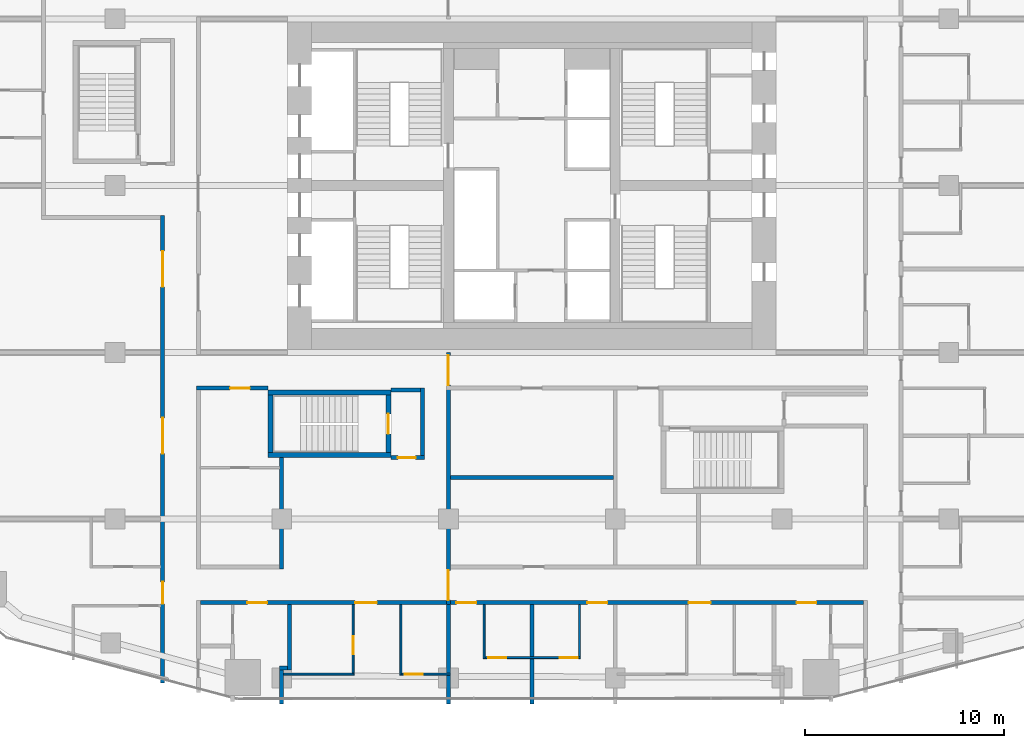
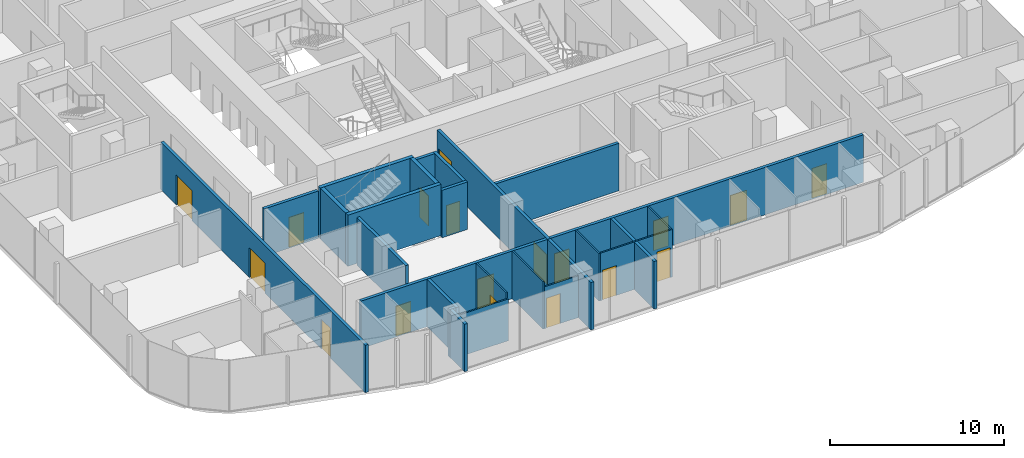
# One storey, part 16 of 26: 25 walls, 18 doors, 18 openings.
"""IFC4 building model written with IfcOpenShell, lengths in metres."""

from ifc_helpers import new_model, si_unit, direction, frame, frame_2d, origin, place, context, subcontext, project, spatial, rectangle, extrude, material, layer, layer_set, type_object, element, fill, save


model = new_model("IFC4")

# Units and contexts
model_context = context("Model", 3, precision=1e-05, world=origin(), true_north=direction((0.0, 1.0)))
body_context = subcontext(model_context, "Body", "Model", "MODEL_VIEW")
ifc_project = project(units=[si_unit("LENGTHUNIT", "METRE"), si_unit("AREAUNIT", "SQUARE_METRE"), si_unit("VOLUMEUNIT", "CUBIC_METRE"), si_unit("PLANEANGLEUNIT", "RADIAN"), si_unit("MASSUNIT", "GRAM", prefix="KILO")], contexts=[model_context])

# Site, building, storey
site_placement = place(None, origin())
site = spatial("IfcSite", under=ifc_project, at=site_placement, CompositionType="ELEMENT")
building_placement = place(site_placement, origin())
building = spatial("IfcBuilding", under=site, at=building_placement, Name="Marenta Gate Hotel Tower", CompositionType="ELEMENT")
storey_placement = place(building_placement, frame((0.0, 0.0, 79.699951171875)))
storey = spatial("IfcBuildingStorey", under=building, at=storey_placement, Name="L18", CompositionType="ELEMENT", Elevation=79.699951171875)

# Wall
ifc_material_1 = material(Name="Concrete blockwork", Category="masonry")
ifc_layer_1 = layer(ifc_material_1, 0.199951171875)
ifc_layer_set_1 = layer_set([ifc_layer_1], Name="Concrete blockwork")
wall_type_1 = type_object("IfcWallType", Name="Compartment wall 200 REI 180", PredefinedType="PARTITIONING", material=ifc_layer_set_1)
wall_1_placement = place(storey_placement, frame((-4.199951171875, -17.699951171875, 0.0), z_axis=(0.0, 0.0, 1.0), x_axis=(0.0, 1.0, 0.0)))
element("IfcWall", 1, at=wall_1_placement, inside=storey, type_object=wall_type_1, Name="L18-PTN-W078", PredefinedType="PARTITIONING", context=body_context, shape_type="SweptSolid", body=[
    extrude(rectangle(XDim=5.0, YDim=0.199951171875, at=frame_2d((2.5, 0.0))), origin(), (0.0, 0.0, 1.0), 3.340087890625),
])

# Wall, openings, doors
wall_2_placement = place(storey_placement, frame((-4.199951171875, -12.699951171875, 0.0), z_axis=(0.0, 0.0, 1.0), x_axis=(0.0, 1.0, 0.0)))
wall_2 = element("IfcWall", 2, at=wall_2_placement, inside=storey, type_object=wall_type_1, Name="L18-PTN-W081", PredefinedType="PARTITIONING", context=body_context, shape_type="SweptSolid", body=[
    extrude(rectangle(XDim=12.699951171875, YDim=0.199951171875, at=frame_2d((6.35009765625, 0.0))), origin(), (0.0, 0.0, 1.0), 3.340087890625),
])
opening_1_placement = place(wall_2_placement, frame((11.050048828125, 0.0, 0.0)))
opening_1 = element("IfcOpeningElement", 3, at=opening_1_placement, cuts=wall_2, Name="Opening G07-FD3", PredefinedType="OPENING", context=body_context, shape_type="SweptSolid", body=[
    extrude(rectangle(XDim=1.5, YDim=2.10009765625, at=frame_2d((0.75, 1.050048828125))), frame((0.0, 0.10009765625, 0.0), z_axis=(0.0, -1.0, 0.0), x_axis=(1.0, 0.0, 0.0)), (0.0, 0.0, 1.0), 0.199951171875),
])
opening_2_placement = place(wall_2_placement, frame((0.22509765625, 0.0, 0.0)))
opening_2 = element("IfcOpeningElement", 4, at=opening_2_placement, cuts=wall_2, Name="Opening G07-FD4", PredefinedType="OPENING", context=body_context, shape_type="SweptSolid", body=[
    extrude(rectangle(XDim=1.5, YDim=2.10009765625, at=frame_2d((0.75, 1.050048828125))), frame((0.0, 0.10009765625, 0.0), z_axis=(0.0, -1.0, 0.0), x_axis=(1.0, 0.0, 0.0)), (0.0, 0.0, 1.0), 0.199951171875),
])
ifc_material_2 = material(Name="Hollow steel door set", Category="steel")
door_type_1 = type_object("IfcDoorType", Name="Compartment fire door 1500x2100 EI 60", OperationType="DOUBLE_DOOR_DOUBLE_SWING", PredefinedType="DOOR", material=ifc_material_2)
door_1_placement = place(opening_1_placement, origin())
door_1 = element("IfcDoor", 5, at=door_1_placement, inside=storey, type_object=door_type_1, Name="L18-PD-FD03", OperationType="DOUBLE_DOOR_DOUBLE_SWING", OverallHeight=2.10009765625, OverallWidth=1.5, PredefinedType="DOOR", context=body_context, shape_type="SweptSolid", body=[
    extrude(rectangle(XDim=1.5, YDim=2.10009765625, at=frame_2d((0.75, 1.050048828125))), frame((0.0, 0.02490234375, 0.0), z_axis=(0.0, -1.0, 0.0), x_axis=(1.0, 0.0, 0.0)), (0.0, 0.0, 1.0), 0.050048828125),
])
fill(opening_1, door_1)
door_2_placement = place(opening_2_placement, origin())
door_2 = element("IfcDoor", 6, at=door_2_placement, inside=storey, type_object=door_type_1, Name="L18-PD-FD04", OperationType="DOUBLE_DOOR_DOUBLE_SWING", OverallHeight=2.10009765625, OverallWidth=1.5, PredefinedType="DOOR", context=body_context, shape_type="SweptSolid", body=[
    extrude(rectangle(XDim=1.5, YDim=2.10009765625, at=frame_2d((0.75, 1.050048828125))), frame((0.0, 0.02490234375, 0.0), z_axis=(0.0, -1.0, 0.0), x_axis=(1.0, 0.0, 0.0)), (0.0, 0.0, 1.0), 0.050048828125),
])
fill(opening_2, door_2)

# Walls
ifc_material_3 = material(Name="Concrete C40", Category="concrete")
ifc_layer_2 = layer(ifc_material_3, 0.25)
ifc_layer_set_2 = layer_set([ifc_layer_2], Name="Concrete C40")
wall_type_2 = type_object("IfcWallType", Name="Remote stair enclosure wall 250 REI 180", PredefinedType="SHEAR", material=ifc_layer_set_2)
for number, where, z_axis, x_axis, name in (
    (7, (-13.300048828125, -5.175048828125, 0.10009765625), (0.0, 0.0, 1.0), (1.0, 0.0, 0.0), "L18-RS-Z1-2-W1"),
    (8, (-13.300048828125, -2.02490234375, 0.10009765625), (0.0, 0.0, 1.0), (1.0, 0.0, 0.0), "L18-RS-Z1-2-W2"),
):
    element("IfcWall", number, at=place(storey_placement, frame(where, z_axis=z_axis, x_axis=x_axis)), inside=storey, type_object=wall_type_2, Name=name, PredefinedType="SHEAR", context=body_context, shape_type="SweptSolid", body=[
        extrude(rectangle(XDim=6.199951171875, YDim=0.25, at=frame_2d((3.10009765625, 0.0))), origin(), (0.0, 0.0, 1.0), 3.599853515625),
    ])
wall_3_placement = place(storey_placement, frame((-13.175048828125, -5.050048828125, 0.10009765625), z_axis=(0.0, 0.0, 1.0), x_axis=(0.0, 1.0, 0.0)))
element("IfcWall", 9, at=wall_3_placement, inside=storey, type_object=wall_type_2, Name="L18-RS-Z1-2-W3", PredefinedType="SHEAR", context=body_context, shape_type="SweptSolid", body=[
    extrude(rectangle(XDim=2.900146484375, YDim=0.25, at=frame_2d((1.4501953125, 0.0))), origin(), (0.0, 0.0, 1.0), 3.599853515625),
])

# Wall, opening, door
wall_4_placement = place(storey_placement, frame((-7.22509765625, -5.050048828125, 0.10009765625), z_axis=(0.0, 0.0, 1.0), x_axis=(0.0, 1.0, 0.0)))
wall_4 = element("IfcWall", 10, at=wall_4_placement, inside=storey, type_object=wall_type_2, Name="L18-RS-Z1-2-W4", PredefinedType="SHEAR", context=body_context, shape_type="SweptSolid", body=[
    extrude(rectangle(XDim=2.900146484375, YDim=0.25, at=frame_2d((1.4501953125, 0.0))), origin(), (0.0, 0.0, 1.0), 3.599853515625),
])
opening_3_placement = place(wall_4_placement, frame((0.949951171875, 0.0, 0.0)))
opening_3 = element("IfcOpeningElement", 11, at=opening_3_placement, cuts=wall_4, Name="Opening VD", PredefinedType="OPENING", context=body_context, shape_type="SweptSolid", body=[
    extrude(rectangle(XDim=1.0, YDim=2.10009765625, at=frame_2d((0.5, 1.050048828125))), frame((0.0, 0.125, 0.0), z_axis=(0.0, -1.0, 0.0), x_axis=(1.0, 0.0, 0.0)), (0.0, 0.0, 1.0), 0.25),
])
ifc_material_4 = material(Name="Steel", Category="steel")
door_type_2 = type_object("IfcDoorType", Name="Stair vestibule door 1000x2100 FD60", OperationType="SINGLE_SWING_LEFT", PredefinedType="DOOR", material=ifc_material_4)
door_3_placement = place(opening_3_placement, origin())
door_3 = element("IfcDoor", 12, at=door_3_placement, inside=storey, type_object=door_type_2, Name="VD", OperationType="SINGLE_SWING_LEFT", OverallHeight=2.10009765625, OverallWidth=1.0, PredefinedType="DOOR", context=body_context, shape_type="SweptSolid", body=[
    extrude(rectangle(XDim=1.0, YDim=2.10009765625, at=frame_2d((0.5, 1.050048828125))), frame((0.0, 0.02490234375, 0.0), z_axis=(0.0, -1.0, 0.0), x_axis=(1.0, 0.0, 0.0)), (0.0, 0.0, 1.0), 0.050048828125),
])
fill(opening_3, door_3)

# Wall, openings, doors
ifc_material_5 = material(Name="Gypsum board on steel stud", Category="steel")
ifc_layer_3 = layer(ifc_material_5, 0.199951171875)
ifc_layer_set_3 = layer_set([ifc_layer_3], Name="Gypsum board on steel stud")
wall_type_3 = type_object("IfcWallType", Name="Room corridor wall 200 EI 60", PredefinedType="PARTITIONING", material=ifc_layer_set_3)
wall_5_placement = place(storey_placement, frame((-16.699951171875, -12.60009765625, 0.0), z_axis=(0.0, 0.0, 1.0), x_axis=(1.0, 0.0, 0.0)))
wall_5 = element("IfcWall", 13, at=wall_5_placement, inside=storey, type_object=wall_type_3, Name="L18-PTN-W037", PredefinedType="PARTITIONING", context=body_context, shape_type="SweptSolid", body=[
    extrude(rectangle(XDim=33.39990234375, YDim=0.199951171875, at=frame_2d((16.699951171875, 0.0))), origin(), (0.0, 0.0, 1.0), 3.340087890625),
])
opening_4_placement = place(wall_5_placement, frame((7.800048828125, 0.0, 0.0)))
opening_4 = element("IfcOpeningElement", 14, at=opening_4_placement, cuts=wall_5, Name="Opening G07-41", PredefinedType="OPENING", context=body_context, shape_type="SweptSolid", body=[
    extrude(rectangle(XDim=1.10009765625, YDim=2.10009765625, at=frame_2d((0.550048828125, 1.050048828125))), frame((0.0, 0.10009765625, 0.0), z_axis=(0.0, -1.0, 0.0), x_axis=(1.0, 0.0, 0.0)), (0.0, 0.0, 1.0), 0.199951171875),
])
opening_5_placement = place(wall_5_placement, frame((12.89990234375, 0.0, 0.0)))
opening_5 = element("IfcOpeningElement", 15, at=opening_5_placement, cuts=wall_5, Name="Opening G07-44", PredefinedType="OPENING", context=body_context, shape_type="SweptSolid", body=[
    extrude(rectangle(XDim=1.0, YDim=2.10009765625, at=frame_2d((0.5, 1.050048828125))), frame((0.0, 0.10009765625, 0.0), z_axis=(0.0, -1.0, 0.0), x_axis=(1.0, 0.0, 0.0)), (0.0, 0.0, 1.0), 0.199951171875),
])
opening_6_placement = place(wall_5_placement, frame((19.5, 0.0, 0.0)))
opening_6 = element("IfcOpeningElement", 16, at=opening_6_placement, cuts=wall_5, Name="Opening G07-46", PredefinedType="OPENING", context=body_context, shape_type="SweptSolid", body=[
    extrude(rectangle(XDim=1.0, YDim=2.10009765625, at=frame_2d((0.5, 1.050048828125))), frame((0.0, 0.10009765625, 0.0), z_axis=(0.0, -1.0, 0.0), x_axis=(1.0, 0.0, 0.0)), (0.0, 0.0, 1.0), 0.199951171875),
])
opening_7_placement = place(wall_5_placement, frame((24.60009765625, 0.0, 0.0)))
opening_7 = element("IfcOpeningElement", 17, at=opening_7_placement, cuts=wall_5, Name="Opening G07-48", PredefinedType="OPENING", context=body_context, shape_type="SweptSolid", body=[
    extrude(rectangle(XDim=1.10009765625, YDim=2.10009765625, at=frame_2d((0.550048828125, 1.050048828125))), frame((0.0, 0.10009765625, 0.0), z_axis=(0.0, -1.0, 0.0), x_axis=(1.0, 0.0, 0.0)), (0.0, 0.0, 1.0), 0.199951171875),
])
opening_8_placement = place(wall_5_placement, frame((2.366943359375, 0.0, 0.0)))
opening_8 = element("IfcOpeningElement", 18, at=opening_8_placement, cuts=wall_5, Name="Opening G07-76", PredefinedType="OPENING", context=body_context, shape_type="SweptSolid", body=[
    extrude(rectangle(XDim=1.0, YDim=2.10009765625, at=frame_2d((0.5, 1.050048828125))), frame((0.0, 0.10009765625, 0.0), z_axis=(0.0, -1.0, 0.0), x_axis=(1.0, 0.0, 0.0)), (0.0, 0.0, 1.0), 0.199951171875),
])
opening_9_placement = place(wall_5_placement, frame((30.032958984375, 0.0, 0.0)))
opening_9 = element("IfcOpeningElement", 19, at=opening_9_placement, cuts=wall_5, Name="Opening G07-79", PredefinedType="OPENING", context=body_context, shape_type="SweptSolid", body=[
    extrude(rectangle(XDim=1.0, YDim=2.10009765625, at=frame_2d((0.5, 1.050048828125))), frame((0.0, 0.10009765625, 0.0), z_axis=(0.0, -1.0, 0.0), x_axis=(1.0, 0.0, 0.0)), (0.0, 0.0, 1.0), 0.199951171875),
])
ifc_material_6 = material(Name="Timber door leaf", Category="wood")
door_type_3 = type_object("IfcDoorType", Name="Guest room door 1000x2100 EI 30", OperationType="NOTDEFINED", PredefinedType="DOOR", material=ifc_material_6)
door_4_placement = place(opening_5_placement, origin())
door_4 = element("IfcDoor", 20, at=door_4_placement, inside=storey, type_object=door_type_3, Name="L18-PD-D044", OperationType="SINGLE_SWING_RIGHT", OverallHeight=2.10009765625, OverallWidth=1.0, PredefinedType="DOOR", context=body_context, shape_type="SweptSolid", body=[
    extrude(rectangle(XDim=1.0, YDim=2.10009765625, at=frame_2d((0.5, 1.050048828125))), frame((0.0, 0.02490234375, 0.0), z_axis=(0.0, -1.0, 0.0), x_axis=(1.0, 0.0, 0.0)), (0.0, 0.0, 1.0), 0.050048828125),
])
fill(opening_5, door_4)
door_5_placement = place(opening_6_placement, origin())
door_5 = element("IfcDoor", 21, at=door_5_placement, inside=storey, type_object=door_type_3, Name="L18-PD-D046", OperationType="SINGLE_SWING_RIGHT", OverallHeight=2.10009765625, OverallWidth=1.0, PredefinedType="DOOR", context=body_context, shape_type="SweptSolid", body=[
    extrude(rectangle(XDim=1.0, YDim=2.10009765625, at=frame_2d((0.5, 1.050048828125))), frame((0.0, 0.02490234375, 0.0), z_axis=(0.0, -1.0, 0.0), x_axis=(1.0, 0.0, 0.0)), (0.0, 0.0, 1.0), 0.050048828125),
])
fill(opening_6, door_5)
door_6_placement = place(opening_8_placement, origin())
door_6 = element("IfcDoor", 22, at=door_6_placement, inside=storey, type_object=door_type_3, Name="L18-PD-D076", OperationType="SINGLE_SWING_RIGHT", OverallHeight=2.10009765625, OverallWidth=1.0, PredefinedType="DOOR", context=body_context, shape_type="SweptSolid", body=[
    extrude(rectangle(XDim=1.0, YDim=2.10009765625, at=frame_2d((0.5, 1.050048828125))), frame((0.0, 0.02490234375, 0.0), z_axis=(0.0, -1.0, 0.0), x_axis=(1.0, 0.0, 0.0)), (0.0, 0.0, 1.0), 0.050048828125),
])
fill(opening_8, door_6)
door_7_placement = place(opening_9_placement, origin())
door_7 = element("IfcDoor", 23, at=door_7_placement, inside=storey, type_object=door_type_3, Name="L18-PD-D079", OperationType="SINGLE_SWING_LEFT", OverallHeight=2.10009765625, OverallWidth=1.0, PredefinedType="DOOR", context=body_context, shape_type="SweptSolid", body=[
    extrude(rectangle(XDim=1.0, YDim=2.10009765625, at=frame_2d((0.5, 1.050048828125))), frame((0.0, 0.02490234375, 0.0), z_axis=(0.0, -1.0, 0.0), x_axis=(1.0, 0.0, 0.0)), (0.0, 0.0, 1.0), 0.050048828125),
])
fill(opening_9, door_7)
ifc_material_7 = material(Name="Timber door leaf", Category="wood")
door_type_4 = type_object("IfcDoorType", Name="Guest room door 1100x2100 EI 30", OperationType="NOTDEFINED", PredefinedType="DOOR", material=ifc_material_7)
door_8_placement = place(opening_4_placement, origin())
door_8 = element("IfcDoor", 24, at=door_8_placement, inside=storey, type_object=door_type_4, Name="L18-PD-D041", OperationType="SINGLE_SWING_RIGHT", OverallHeight=2.10009765625, OverallWidth=1.10009765625, PredefinedType="DOOR", context=body_context, shape_type="SweptSolid", body=[
    extrude(rectangle(XDim=1.10009765625, YDim=2.10009765625, at=frame_2d((0.550048828125, 1.050048828125))), frame((0.0, 0.02490234375, 0.0), z_axis=(0.0, -1.0, 0.0), x_axis=(1.0, 0.0, 0.0)), (0.0, 0.0, 1.0), 0.050048828125),
])
fill(opening_4, door_8)
door_9_placement = place(opening_7_placement, origin())
door_9 = element("IfcDoor", 25, at=door_9_placement, inside=storey, type_object=door_type_4, Name="L18-PD-D048", OperationType="SINGLE_SWING_RIGHT", OverallHeight=2.10009765625, OverallWidth=1.10009765625, PredefinedType="DOOR", context=body_context, shape_type="SweptSolid", body=[
    extrude(rectangle(XDim=1.10009765625, YDim=2.10009765625, at=frame_2d((0.550048828125, 1.050048828125))), frame((0.0, 0.02490234375, 0.0), z_axis=(0.0, -1.0, 0.0), x_axis=(1.0, 0.0, 0.0)), (0.0, 0.0, 1.0), 0.050048828125),
])
fill(opening_7, door_9)

# Wall, opening, door
wall_6_placement = place(storey_placement, frame((-16.89990234375, -1.800048828125, 0.0), z_axis=(0.0, 0.0, 1.0), x_axis=(1.0, 0.0, 0.0)))
wall_6 = element("IfcWall", 26, at=wall_6_placement, inside=storey, type_object=wall_type_3, Name="L18-PTN-W067", PredefinedType="PARTITIONING", context=body_context, shape_type="SweptSolid", body=[
    extrude(rectangle(XDim=3.599853515625, YDim=0.199951171875, at=frame_2d((1.7998046875, 0.0))), origin(), (0.0, 0.0, 1.0), 3.340087890625),
])
opening_10_placement = place(wall_6_placement, frame((1.699951171875, 0.0, 0.0)))
opening_10 = element("IfcOpeningElement", 27, at=opening_10_placement, cuts=wall_6, Name="Opening G07-04", PredefinedType="OPENING", context=body_context, shape_type="SweptSolid", body=[
    extrude(rectangle(XDim=1.0, YDim=2.10009765625, at=frame_2d((0.5, 1.050048828125))), frame((0.0, 0.10009765625, 0.0), z_axis=(0.0, -1.0, 0.0), x_axis=(1.0, 0.0, 0.0)), (0.0, 0.0, 1.0), 0.199951171875),
])
ifc_material_8 = material(Name="Hollow steel door set", Category="steel")
door_type_5 = type_object("IfcDoorType", Name="Room service door 1000x2100 EI 30", OperationType="NOTDEFINED", PredefinedType="DOOR", material=ifc_material_8)
door_10_placement = place(opening_10_placement, origin())
door_10 = element("IfcDoor", 28, at=door_10_placement, inside=storey, type_object=door_type_5, Name="L18-PD-D004", OperationType="SINGLE_SWING_RIGHT", OverallHeight=2.10009765625, OverallWidth=1.0, PredefinedType="DOOR", context=body_context, shape_type="SweptSolid", body=[
    extrude(rectangle(XDim=1.0, YDim=2.10009765625, at=frame_2d((0.5, 1.050048828125))), frame((0.0, 0.02490234375, 0.0), z_axis=(0.0, -1.0, 0.0), x_axis=(1.0, 0.0, 0.0)), (0.0, 0.0, 1.0), 0.050048828125),
])
fill(opening_10, door_10)

# Wall
wall_7_placement = place(storey_placement, frame((-12.60009765625, -10.89990234375, 0.0), z_axis=(0.0, 0.0, 1.0), x_axis=(0.0, 1.0, 0.0)))
element("IfcWall", 29, at=wall_7_placement, inside=storey, type_object=wall_type_3, Name="L18-PTN-W099", PredefinedType="PARTITIONING", context=body_context, shape_type="SweptSolid", body=[
    extrude(rectangle(XDim=5.599853515625, YDim=0.199951171875, at=frame_2d((2.7998046875, 0.0))), origin(), (0.0, 0.0, 1.0), 3.340087890625),
])

# Wall, openings, doors
wall_8_placement = place(storey_placement, frame((-18.60009765625, -16.6650390625, 0.0), z_axis=(0.0, 0.0, 1.0), x_axis=(0.0, 1.0, 0.0)))
wall_8 = element("IfcWall", 30, at=wall_8_placement, inside=storey, type_object=wall_type_3, Name="L18-PTN-W116", PredefinedType="PARTITIONING", context=body_context, shape_type="SweptSolid", body=[
    extrude(rectangle(XDim=23.56494140625, YDim=0.199951171875, at=frame_2d((11.782470703125, 0.0))), origin(), (0.0, 0.0, 1.0), 3.340087890625),
])
opening_11_placement = place(wall_8_placement, frame((4.0, 0.0, 0.0)))
opening_11 = element("IfcOpeningElement", 31, at=opening_11_placement, cuts=wall_8, Name="Opening G07-51", PredefinedType="OPENING", context=body_context, shape_type="SweptSolid", body=[
    extrude(rectangle(XDim=1.10009765625, YDim=2.10009765625, at=frame_2d((0.550048828125, 1.050048828125))), frame((0.0, 0.10009765625, 0.0), z_axis=(0.0, -1.0, 0.0), x_axis=(1.0, 0.0, 0.0)), (0.0, 0.0, 1.0), 0.199951171875),
])
opening_12_placement = place(wall_8_placement, frame((11.56494140625, 0.0, 0.0)))
opening_12 = element("IfcOpeningElement", 32, at=opening_12_placement, cuts=wall_8, Name="Opening G07-54", PredefinedType="OPENING", context=body_context, shape_type="SweptSolid", body=[
    extrude(rectangle(XDim=1.800048828125, YDim=2.10009765625, at=frame_2d((0.89990234375, 1.050048828125))), frame((0.0, 0.10009765625, 0.0), z_axis=(0.0, -1.0, 0.0), x_axis=(1.0, 0.0, 0.0)), (0.0, 0.0, 1.0), 0.199951171875),
])
opening_13_placement = place(wall_8_placement, frame((19.965087890625, 0.0, 0.0)))
opening_13 = element("IfcOpeningElement", 33, at=opening_13_placement, cuts=wall_8, Name="Opening G07-55", PredefinedType="OPENING", context=body_context, shape_type="SweptSolid", body=[
    extrude(rectangle(XDim=1.800048828125, YDim=2.10009765625, at=frame_2d((0.89990234375, 1.050048828125))), frame((0.0, 0.10009765625, 0.0), z_axis=(0.0, -1.0, 0.0), x_axis=(1.0, 0.0, 0.0)), (0.0, 0.0, 1.0), 0.199951171875),
])
door_11_placement = place(opening_11_placement, origin())
door_11 = element("IfcDoor", 34, at=door_11_placement, inside=storey, type_object=door_type_4, Name="L18-PD-D051", OperationType="SINGLE_SWING_LEFT", OverallHeight=2.10009765625, OverallWidth=1.10009765625, PredefinedType="DOOR", context=body_context, shape_type="SweptSolid", body=[
    extrude(rectangle(XDim=1.10009765625, YDim=2.10009765625, at=frame_2d((0.550048828125, 1.050048828125))), frame((0.0, 0.02490234375, 0.0), z_axis=(0.0, -1.0, 0.0), x_axis=(1.0, 0.0, 0.0)), (0.0, 0.0, 1.0), 0.050048828125),
])
fill(opening_11, door_11)
ifc_material_9 = material(Name="Timber door leaf", Category="wood")
door_type_6 = type_object("IfcDoorType", Name="Room amenity door 1800x2100 EI 30", OperationType="DOUBLE_DOOR_SINGLE_SWING", PredefinedType="DOOR", material=ifc_material_9)
door_12_placement = place(opening_12_placement, origin())
door_12 = element("IfcDoor", 35, at=door_12_placement, inside=storey, type_object=door_type_6, Name="L18-PD-D054", OperationType="DOUBLE_DOOR_SINGLE_SWING", OverallHeight=2.10009765625, OverallWidth=1.800048828125, PredefinedType="DOOR", context=body_context, shape_type="SweptSolid", body=[
    extrude(rectangle(XDim=1.800048828125, YDim=2.10009765625, at=frame_2d((0.89990234375, 1.050048828125))), frame((0.0, 0.02490234375, 0.0), z_axis=(0.0, -1.0, 0.0), x_axis=(1.0, 0.0, 0.0)), (0.0, 0.0, 1.0), 0.050048828125),
])
fill(opening_12, door_12)
door_13_placement = place(opening_13_placement, origin())
door_13 = element("IfcDoor", 36, at=door_13_placement, inside=storey, type_object=door_type_6, Name="L18-PD-D055", OperationType="DOUBLE_DOOR_SINGLE_SWING", OverallHeight=2.10009765625, OverallWidth=1.800048828125, PredefinedType="DOOR", context=body_context, shape_type="SweptSolid", body=[
    extrude(rectangle(XDim=1.800048828125, YDim=2.10009765625, at=frame_2d((0.89990234375, 1.050048828125))), frame((0.0, 0.02490234375, 0.0), z_axis=(0.0, -1.0, 0.0), x_axis=(1.0, 0.0, 0.0)), (0.0, 0.0, 1.0), 0.050048828125),
])
fill(opening_13, door_13)

# Wall, opening, door
ifc_material_10 = material(Name="Concrete blockwork", Category="masonry")
ifc_layer_4 = layer(ifc_material_10, 0.199951171875)
ifc_layer_set_4 = layer_set([ifc_layer_4], Name="Concrete blockwork")
wall_type_4 = type_object("IfcWallType", Name="Room corridor wall 200 REI 180", PredefinedType="PARTITIONING", material=ifc_layer_set_4)
wall_9_placement = place(storey_placement, frame((-7.10009765625, -5.300048828125, 0.0), z_axis=(0.0, 0.0, 1.0), x_axis=(1.0, 0.0, 0.0)))
wall_9 = element("IfcWall", 37, at=wall_9_placement, inside=storey, type_object=wall_type_4, Name="L18-PTN-W056", PredefinedType="PARTITIONING", context=body_context, shape_type="SweptSolid", body=[
    extrude(rectangle(XDim=1.7001953125, YDim=0.199951171875, at=frame_2d((0.85009765625, 0.0))), origin(), (0.0, 0.0, 1.0), 3.340087890625),
])
opening_14_placement = place(wall_9_placement, frame((0.35009765625, 0.0, 0.0)))
opening_14 = element("IfcOpeningElement", 38, at=opening_14_placement, cuts=wall_9, Name="Opening G07-65", PredefinedType="OPENING", context=body_context, shape_type="SweptSolid", body=[
    extrude(rectangle(XDim=0.89990234375, YDim=2.10009765625, at=frame_2d((0.449951171875, 1.050048828125))), frame((0.0, 0.10009765625, 0.0), z_axis=(0.0, -1.0, 0.0), x_axis=(1.0, 0.0, 0.0)), (0.0, 0.0, 1.0), 0.199951171875),
])
ifc_material_11 = material(Name="Hollow steel door set", Category="steel")
door_type_7 = type_object("IfcDoorType", Name="Stair vestibule door 900x2100 EI 60", OperationType="NOTDEFINED", PredefinedType="DOOR", material=ifc_material_11)
door_14_placement = place(opening_14_placement, origin())
door_14 = element("IfcDoor", 39, at=door_14_placement, inside=storey, type_object=door_type_7, Name="L18-PD-D065", OperationType="SINGLE_SWING_RIGHT", OverallHeight=2.10009765625, OverallWidth=0.89990234375, PredefinedType="DOOR", context=body_context, shape_type="SweptSolid", body=[
    extrude(rectangle(XDim=0.89990234375, YDim=2.10009765625, at=frame_2d((0.449951171875, 1.050048828125))), frame((0.0, 0.02490234375, 0.0), z_axis=(0.0, -1.0, 0.0), x_axis=(1.0, 0.0, 0.0)), (0.0, 0.0, 1.0), 0.050048828125),
])
fill(opening_14, door_14)

# Walls
wall_10_placement = place(storey_placement, frame((-7.10009765625, -1.89990234375, 0.0), z_axis=(0.0, 0.0, 1.0), x_axis=(1.0, 0.0, 0.0)))
element("IfcWall", 40, at=wall_10_placement, inside=storey, type_object=wall_type_4, Name="L18-PTN-W065", PredefinedType="PARTITIONING", context=body_context, shape_type="SweptSolid", body=[
    extrude(rectangle(XDim=1.5, YDim=0.199951171875, at=frame_2d((0.75, 0.0))), origin(), (0.0, 0.0, 1.0), 3.340087890625),
])
wall_11_placement = place(storey_placement, frame((-5.5, -5.199951171875, 0.0), z_axis=(0.0, 0.0, 1.0), x_axis=(0.0, 1.0, 0.0)))
element("IfcWall", 41, at=wall_11_placement, inside=storey, type_object=wall_type_4, Name="L18-PTN-W083", PredefinedType="PARTITIONING", context=body_context, shape_type="SweptSolid", body=[
    extrude(rectangle(XDim=3.39990234375, YDim=0.199951171875, at=frame_2d((1.699951171875, 0.0))), origin(), (0.0, 0.0, 1.0), 3.340087890625),
])
ifc_material_12 = material(Name="Gypsum board on steel stud", Category="steel")
ifc_layer_5 = layer(ifc_material_12, 0.10009765625)
ifc_layer_set_5 = layer_set([ifc_layer_5], Name="Gypsum board on steel stud")
wall_type_5 = type_object("IfcWallType", Name="Room partition 100", PredefinedType="PARTITIONING", material=ifc_layer_set_5)
wall_12_placement = place(storey_placement, frame((-12.5, -16.199951171875, 0.0), z_axis=(0.0, 0.0, 1.0), x_axis=(1.0, 0.0, 0.0)))
element("IfcWall", 42, at=wall_12_placement, inside=storey, type_object=wall_type_5, Name="L18-PTN-W020", PredefinedType="PARTITIONING", context=body_context, shape_type="SweptSolid", body=[
    extrude(rectangle(XDim=3.550048828125, YDim=0.10009765625, at=frame_2d((1.77490234375, 0.0))), origin(), (0.0, 0.0, 1.0), 2.93994140625),
])

# Wall, opening, door
wall_13_placement = place(storey_placement, frame((-6.550048828125, -16.199951171875, 0.0), z_axis=(0.0, 0.0, 1.0), x_axis=(1.0, 0.0, 0.0)))
wall_13 = element("IfcWall", 43, at=wall_13_placement, inside=storey, type_object=wall_type_5, Name="L18-PTN-W021", PredefinedType="PARTITIONING", context=body_context, shape_type="SweptSolid", body=[
    extrude(rectangle(XDim=2.449951171875, YDim=0.10009765625, at=frame_2d((1.22509765625, 0.0))), origin(), (0.0, 0.0, 1.0), 2.93994140625),
])
opening_15_placement = place(wall_13_placement, frame((0.14990234375, 0.0, 0.0)))
opening_15 = element("IfcOpeningElement", 44, at=opening_15_placement, cuts=wall_13, Name="Opening G07-43", PredefinedType="OPENING", context=body_context, shape_type="SweptSolid", body=[
    extrude(rectangle(XDim=0.89990234375, YDim=2.10009765625, at=frame_2d((0.449951171875, 1.050048828125))), frame((0.0, 0.050048828125, 0.0), z_axis=(0.0, -1.0, 0.0), x_axis=(1.0, 0.0, 0.0)), (0.0, 0.0, 1.0), 0.10009765625),
])
ifc_material_13 = material(Name="Timber door leaf", Category="wood")
door_type_8 = type_object("IfcDoorType", Name="Room inner door 900x2100", OperationType="NOTDEFINED", PredefinedType="DOOR", material=ifc_material_13)
door_15_placement = place(opening_15_placement, origin())
door_15 = element("IfcDoor", 45, at=door_15_placement, inside=storey, type_object=door_type_8, Name="L18-PD-D043", OperationType="SINGLE_SWING_LEFT", OverallHeight=2.10009765625, OverallWidth=0.89990234375, PredefinedType="DOOR", context=body_context, shape_type="SweptSolid", body=[
    extrude(rectangle(XDim=0.89990234375, YDim=2.10009765625, at=frame_2d((0.449951171875, 1.050048828125))), frame((0.0, 0.02490234375, 0.0), z_axis=(0.0, -1.0, 0.0), x_axis=(1.0, 0.0, 0.0)), (0.0, 0.0, 1.0), 0.050048828125),
])
fill(opening_15, door_15)

# Wall, openings, doors
wall_14_placement = place(storey_placement, frame((-2.35009765625, -15.375, 0.0), z_axis=(0.0, 0.0, 1.0), x_axis=(1.0, 0.0, 0.0)))
wall_14 = element("IfcWall", 46, at=wall_14_placement, inside=storey, type_object=wall_type_5, Name="L18-PTN-W026", PredefinedType="PARTITIONING", context=body_context, shape_type="SweptSolid", body=[
    extrude(rectangle(XDim=4.800048828125, YDim=0.10009765625, at=frame_2d((2.39990234375, 0.0))), origin(), (0.0, 0.0, 1.0), 3.340087890625),
])
opening_16_placement = place(wall_14_placement, frame((0.14990234375, 0.0, 0.0)))
opening_16 = element("IfcOpeningElement", 47, at=opening_16_placement, cuts=wall_14, Name="Opening G07-45", PredefinedType="OPENING", context=body_context, shape_type="SweptSolid", body=[
    extrude(rectangle(XDim=0.89990234375, YDim=2.10009765625, at=frame_2d((0.449951171875, 1.050048828125))), frame((0.0, 0.050048828125, 0.0), z_axis=(0.0, -1.0, 0.0), x_axis=(1.0, 0.0, 0.0)), (0.0, 0.0, 1.0), 0.10009765625),
])
opening_17_placement = place(wall_14_placement, frame((3.75, 0.0, 0.0)))
opening_17 = element("IfcOpeningElement", 48, at=opening_17_placement, cuts=wall_14, Name="Opening G07-47", PredefinedType="OPENING", context=body_context, shape_type="SweptSolid", body=[
    extrude(rectangle(XDim=0.89990234375, YDim=2.10009765625, at=frame_2d((0.449951171875, 1.050048828125))), frame((0.0, 0.050048828125, 0.0), z_axis=(0.0, -1.0, 0.0), x_axis=(1.0, 0.0, 0.0)), (0.0, 0.0, 1.0), 0.10009765625),
])
ifc_material_14 = material(Name="Timber door leaf", Category="wood")
door_type_9 = type_object("IfcDoorType", Name="Guest bathroom door 900x2100", OperationType="NOTDEFINED", PredefinedType="DOOR", material=ifc_material_14)
door_16_placement = place(opening_16_placement, origin())
door_16 = element("IfcDoor", 49, at=door_16_placement, inside=storey, type_object=door_type_9, Name="L18-PD-D045", OperationType="SINGLE_SWING_LEFT", OverallHeight=2.10009765625, OverallWidth=0.89990234375, PredefinedType="DOOR", context=body_context, shape_type="SweptSolid", body=[
    extrude(rectangle(XDim=0.89990234375, YDim=2.10009765625, at=frame_2d((0.449951171875, 1.050048828125))), frame((0.0, 0.02490234375, 0.0), z_axis=(0.0, -1.0, 0.0), x_axis=(1.0, 0.0, 0.0)), (0.0, 0.0, 1.0), 0.050048828125),
])
fill(opening_16, door_16)
door_17_placement = place(opening_17_placement, origin())
door_17 = element("IfcDoor", 50, at=door_17_placement, inside=storey, type_object=door_type_9, Name="L18-PD-D047", OperationType="SINGLE_SWING_RIGHT", OverallHeight=2.10009765625, OverallWidth=0.89990234375, PredefinedType="DOOR", context=body_context, shape_type="SweptSolid", body=[
    extrude(rectangle(XDim=0.89990234375, YDim=2.10009765625, at=frame_2d((0.449951171875, 1.050048828125))), frame((0.0, 0.02490234375, 0.0), z_axis=(0.0, -1.0, 0.0), x_axis=(1.0, 0.0, 0.0)), (0.0, 0.0, 1.0), 0.050048828125),
])
fill(opening_17, door_17)

# Walls
wall_15_placement = place(storey_placement, frame((2.39990234375, -15.324951171875, 0.0), z_axis=(0.0, 0.0, 1.0), x_axis=(0.0, 1.0, 0.0)))
element("IfcWall", 51, at=wall_15_placement, inside=storey, type_object=wall_type_5, Name="L18-PTN-W063", PredefinedType="PARTITIONING", context=body_context, shape_type="SweptSolid", body=[
    extrude(rectangle(XDim=2.625, YDim=0.10009765625, at=frame_2d((1.3125, 0.0))), origin(), (0.0, 0.0, 1.0), 3.340087890625),
])
wall_16_placement = place(storey_placement, frame((-2.39990234375, -15.425048828125, 0.0), z_axis=(0.0, 0.0, 1.0), x_axis=(0.0, 1.0, 0.0)))
element("IfcWall", 52, at=wall_16_placement, inside=storey, type_object=wall_type_5, Name="L18-PTN-W076", PredefinedType="PARTITIONING", context=body_context, shape_type="SweptSolid", body=[
    extrude(rectangle(XDim=2.72509765625, YDim=0.10009765625, at=frame_2d((1.362548828125, 0.0))), origin(), (0.0, 0.0, 1.0), 3.340087890625),
])
wall_17_placement = place(storey_placement, frame((-6.60009765625, -16.25, 0.0), z_axis=(0.0, 0.0, 1.0), x_axis=(0.0, 1.0, 0.0)))
element("IfcWall", 53, at=wall_17_placement, inside=storey, type_object=wall_type_5, Name="L18-PTN-W085", PredefinedType="PARTITIONING", context=body_context, shape_type="SweptSolid", body=[
    extrude(rectangle(XDim=3.550048828125, YDim=0.10009765625, at=frame_2d((1.77490234375, 0.0))), origin(), (0.0, 0.0, 1.0), 3.340087890625),
])

# Wall, opening, door
wall_18_placement = place(storey_placement, frame((-9.0, -16.14990234375, 0.0), z_axis=(0.0, 0.0, 1.0), x_axis=(0.0, 1.0, 0.0)))
wall_18 = element("IfcWall", 54, at=wall_18_placement, inside=storey, type_object=wall_type_5, Name="L18-PTN-W091", PredefinedType="PARTITIONING", context=body_context, shape_type="SweptSolid", body=[
    extrude(rectangle(XDim=3.449951171875, YDim=0.10009765625, at=frame_2d((1.72509765625, 0.0))), origin(), (0.0, 0.0, 1.0), 3.340087890625),
])
opening_18_placement = place(wall_18_placement, frame((0.93994140625, 0.0, 0.0)))
opening_18 = element("IfcOpeningElement", 55, at=opening_18_placement, cuts=wall_18, Name="Opening G07-42", PredefinedType="OPENING", context=body_context, shape_type="SweptSolid", body=[
    extrude(rectangle(XDim=0.89990234375, YDim=2.10009765625, at=frame_2d((0.449951171875, 1.050048828125))), frame((0.0, 0.050048828125, 0.0), z_axis=(0.0, -1.0, 0.0), x_axis=(1.0, 0.0, 0.0)), (0.0, 0.0, 1.0), 0.10009765625),
])
door_18_placement = place(opening_18_placement, origin())
door_18 = element("IfcDoor", 56, at=door_18_placement, inside=storey, type_object=door_type_9, Name="L18-PD-D042", OperationType="SINGLE_SWING_LEFT", OverallHeight=2.10009765625, OverallWidth=0.89990234375, PredefinedType="DOOR", context=body_context, shape_type="SweptSolid", body=[
    extrude(rectangle(XDim=0.89990234375, YDim=2.10009765625, at=frame_2d((0.449951171875, 1.050048828125))), frame((0.0, 0.02490234375, 0.0), z_axis=(0.0, -1.0, 0.0), x_axis=(1.0, 0.0, 0.0)), (0.0, 0.0, 1.0), 0.050048828125),
])
fill(opening_18, door_18)

# Walls
ifc_material_15 = material(Name="Gypsum board on steel stud", Category="steel")
ifc_layer_6 = layer(ifc_material_15, 0.199951171875)
ifc_layer_set_6 = layer_set([ifc_layer_6], Name="Gypsum board on steel stud")
wall_type_6 = type_object("IfcWallType", Name="Room party wall 200 EI 60", PredefinedType="PARTITIONING", material=ifc_layer_set_6)
wall_19_placement = place(storey_placement, frame((-12.699951171875, -15.89990234375, 0.0), z_axis=(0.0, 0.0, 1.0), x_axis=(1.0, 0.0, 0.0)))
element("IfcWall", 57, at=wall_19_placement, inside=storey, type_object=wall_type_6, Name="L18-PTN-W024", PredefinedType="PARTITIONING", context=body_context, shape_type="SweptSolid", body=[
    extrude(rectangle(XDim=0.39990234375, YDim=0.199951171875, at=frame_2d((0.199951171875, 0.0))), origin(), (0.0, 0.0, 1.0), 3.340087890625),
])
wall_20_placement = place(storey_placement, frame((-4.10009765625, -6.300048828125, 0.0), z_axis=(0.0, 0.0, 1.0), x_axis=(1.0, 0.0, 0.0)))
element("IfcWall", 58, at=wall_20_placement, inside=storey, type_object=wall_type_6, Name="L18-PTN-W054", PredefinedType="PARTITIONING", context=body_context, shape_type="SweptSolid", body=[
    extrude(rectangle(XDim=8.2001953125, YDim=0.199951171875, at=frame_2d((4.10009765625, 0.0))), origin(), (0.0, 0.0, 1.0), 3.340087890625),
])
wall_21_placement = place(storey_placement, frame((0.0, -17.699951171875, 0.0), z_axis=(0.0, 0.0, 1.0), x_axis=(0.0, 1.0, 0.0)))
element("IfcWall", 59, at=wall_21_placement, inside=storey, type_object=wall_type_6, Name="L18-PTN-W071", PredefinedType="PARTITIONING", context=body_context, shape_type="SweptSolid", body=[
    extrude(rectangle(XDim=5.0, YDim=0.199951171875, at=frame_2d((2.5, 0.0))), origin(), (0.0, 0.0, 1.0), 3.340087890625),
])
wall_22_placement = place(storey_placement, frame((-12.199951171875, -16.0, 0.0), z_axis=(0.0, 0.0, 1.0), x_axis=(0.0, 1.0, 0.0)))
element("IfcWall", 60, at=wall_22_placement, inside=storey, type_object=wall_type_6, Name="L18-PTN-W095", PredefinedType="PARTITIONING", context=body_context, shape_type="SweptSolid", body=[
    extrude(rectangle(XDim=3.300048828125, YDim=0.199951171875, at=frame_2d((1.64990234375, 0.0))), origin(), (0.0, 0.0, 1.0), 3.340087890625),
])
wall_23_placement = place(storey_placement, frame((-12.60009765625, -17.699951171875, 0.0), z_axis=(0.0, 0.0, 1.0), x_axis=(0.0, 1.0, 0.0)))
element("IfcWall", 61, at=wall_23_placement, inside=storey, type_object=wall_type_6, Name="L18-PTN-W096", PredefinedType="PARTITIONING", context=body_context, shape_type="SweptSolid", body=[
    extrude(rectangle(XDim=1.699951171875, YDim=0.199951171875, at=frame_2d((0.85009765625, 0.0))), origin(), (0.0, 0.0, 1.0), 3.340087890625),
])

save(model, "model.ifc")
